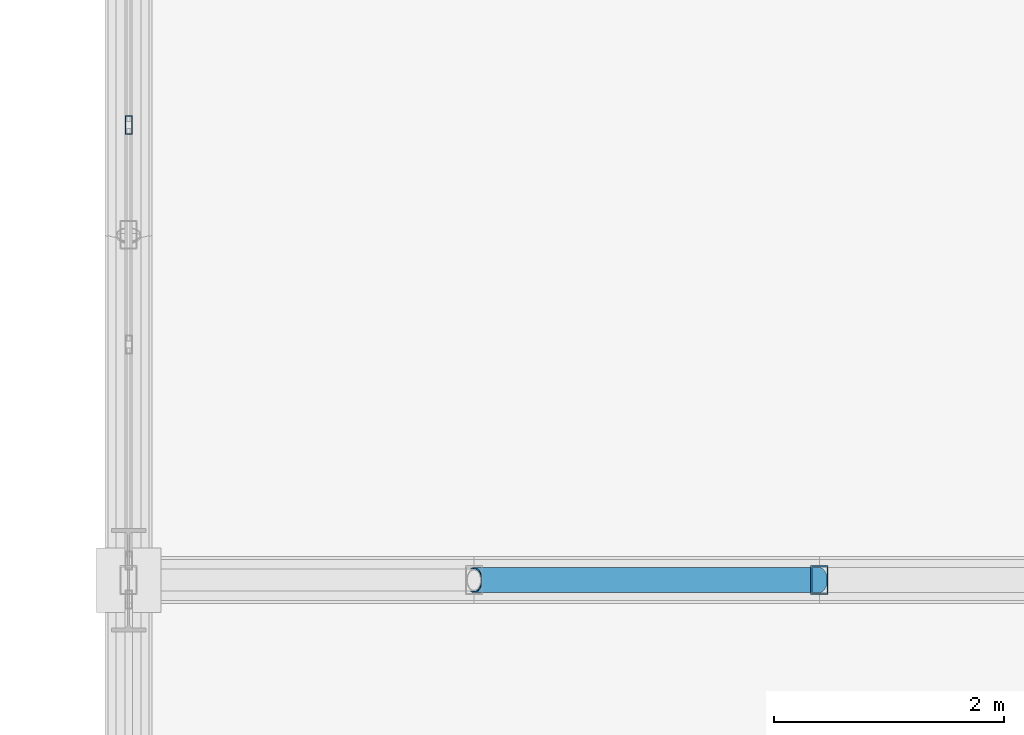
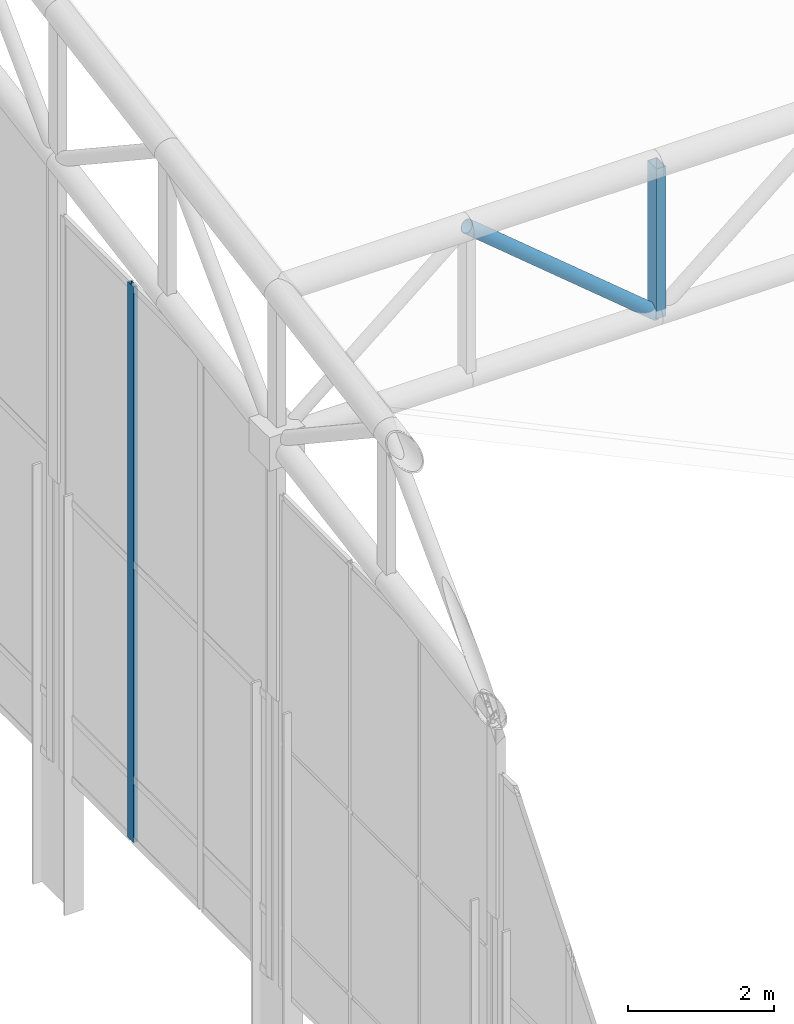
# One storey, part 76 of 239: 3 members, 1 element without a shape of its own.
"""IFC4 building model written with IfcOpenShell, lengths in metres."""

from ifc_helpers import new_model, si_unit, direction, frame, origin, origin_2d, place, context, subcontext, project, spatial, hollow_rectangle, hollow_circle, extrude, material, material_profile, profile_set, type_object, element, aggregate, save


model = new_model("IFC4")

# Units and contexts
model_context = context("Model", 3, precision=1e-05, world=origin(), true_north=direction((0.0, 1.0)))
body_context = subcontext(model_context, "Body", "Model", "MODEL_VIEW")
ifc_project = project(units=[si_unit("LENGTHUNIT", "METRE"), si_unit("AREAUNIT", "SQUARE_METRE"), si_unit("VOLUMEUNIT", "CUBIC_METRE"), si_unit("PLANEANGLEUNIT", "RADIAN"), si_unit("MASSUNIT", "GRAM", prefix="KILO")], contexts=[model_context])

# Site, building, storey
site_placement = place(None, origin())
site = spatial("IfcSite", under=ifc_project, at=site_placement, CompositionType="ELEMENT")
building_placement = place(site_placement, origin())
building = spatial("IfcBuilding", under=site, at=building_placement, Name="Kaldris Quays Convention Centre", CompositionType="ELEMENT")
storey_placement = place(building_placement, frame((0.0, 0.0, 11.39990234375)))
storey = spatial("IfcBuildingStorey", under=building, at=storey_placement, Name="L02", CompositionType="ELEMENT", Elevation=11.39990234375)

# Curtain wall, member
ifc_material_1 = material(Name="Anodized aluminium AW-6060 and triple glazing", Category="aluminium")
curtain_wall_type = type_object("IfcCurtainWallType", Name="UNITISED CURTAIN WALL CW03", PredefinedType="NOTDEFINED", material=ifc_material_1)
curtain_wall_placement = place(storey_placement, origin())
curtain_wall = element("IfcCurtainWall", 1, at=curtain_wall_placement, inside=storey, type_object=curtain_wall_type, Name="L02 Unitised Curtain Wall CW03 217", PredefinedType="NOTDEFINED")
ifc_material_2 = material(Name="Anodized aluminium AW-6060", Category="aluminium")
ifc_material_profile_1 = material_profile(ifc_material_2, hollow_rectangle(XDim=0.06005859375, YDim=0.159912109375, WallThickness=0.00390625, at=origin_2d()), Name="RHS 160x60x4")
ifc_profile_set_1 = profile_set([ifc_material_profile_1], Name="Anodized aluminium AW-6060")
member_type_1 = type_object("IfcMemberType", Name="CURTAIN MULLION CWM1", PredefinedType="MULLION", material=ifc_profile_set_1)
member_1_placement = place(storey_placement, frame((20.0, 83.953369140625, 2.195068359375), z_axis=(0.0, 0.0, 1.0), x_axis=(-1.0, 0.0, 0.0)))
member_1 = element("IfcMember", 2, at=member_1_placement, type_object=member_type_1, Name="CW03 mullion 3", PredefinedType="MULLION", context=body_context, shape_type="SweptSolid", body=[
    extrude(hollow_rectangle(XDim=0.06005859375, YDim=0.159912109375, WallThickness=0.00390625, at=origin_2d()), origin(), (0.0, 0.0, 1.0), 9.283935546875),
])
aggregate(curtain_wall, [member_1])

# Members
ifc_material_3 = material(Name="Steel S355J2H", Category="steel")
ifc_material_profile_2 = material_profile(ifc_material_3, hollow_circle(Radius=0.109619140625, WallThickness=0.010009765625, at=origin_2d()), Name="CHS 219.1x10")
ifc_profile_set_2 = profile_set([ifc_material_profile_2], Name="Steel S355J2H")
member_type_2 = type_object("IfcMemberType", Name="STRUCTURAL MEMBER SWB1", PredefinedType="BRACE", material=ifc_profile_set_2)
member_2_placement = place(storey_placement, frame((26.0, 80.0, 11.2861328125), z_axis=(-0.768221279597, 0.0, 0.640184399664), x_axis=(0.0, -1.0, 0.0)))
element("IfcMember", 3, at=member_2_placement, inside=storey, type_object=member_type_2, Name="SF-V1 Web Diagonal X 86", PredefinedType="BRACE", context=body_context, shape_type="SweptSolid", body=[
    extrude(hollow_circle(Radius=0.109619140625, WallThickness=0.010009765625, at=origin_2d()), origin(), (0.0, 0.0, 1.0), 3.905029296875),
])
ifc_material_profile_3 = material_profile(ifc_material_3, hollow_rectangle(XDim=0.14990234375, YDim=0.25, WallThickness=0.010009765625, at=origin_2d()), Name="RHS 250x150x10")
ifc_profile_set_3 = profile_set([ifc_material_profile_3], Name="Steel S355J2H")
member_type_3 = type_object("IfcMemberType", Name="STRUCTURAL MEMBER TTV1", PredefinedType="POST", material=ifc_profile_set_3)
member_3_placement = place(storey_placement, frame((26.0, 80.0, 11.2861328125), z_axis=(0.0, 0.0, 1.0), x_axis=(1.0, 0.0, 0.0)))
element("IfcMember", 4, at=member_3_placement, inside=storey, type_object=member_type_3, Name="SF-V1 Space-Frame Post 40", PredefinedType="POST", context=body_context, shape_type="SweptSolid", body=[
    extrude(hollow_rectangle(XDim=0.14990234375, YDim=0.25, WallThickness=0.010009765625, at=origin_2d()), origin(), (0.0, 0.0, 1.0), 2.5),
])

save(model, "model.ifc")
